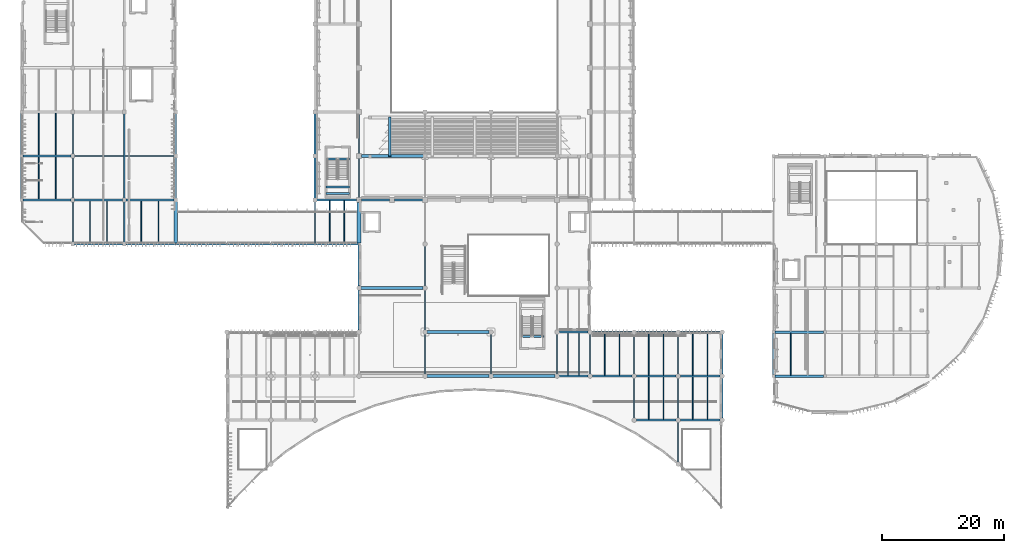
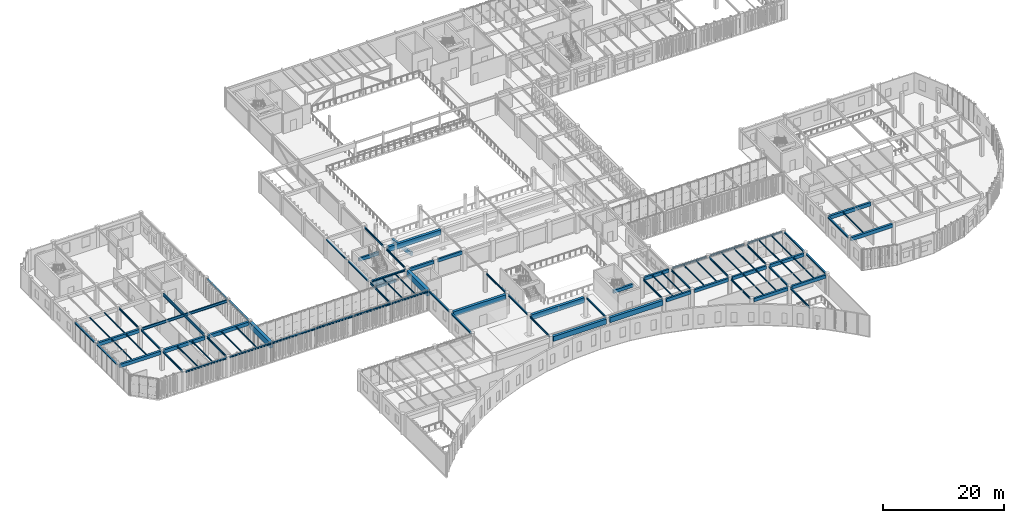
# One storey, part 12 of 122: 91 beams.
"""IFC4 building model written with IfcOpenShell, lengths in metres."""

from ifc_helpers import new_model, si_unit, direction, frame, origin, origin_2d, place, context, subcontext, project, spatial, rectangle, i_section, extrude, material, material_profile, profile_set, type_object, element, save


model = new_model("IFC4")

# Units and contexts
model_context = context("Model", 3, precision=1e-05, world=origin(), true_north=direction((0.0, 1.0)))
body_context = subcontext(model_context, "Body", "Model", "MODEL_VIEW")
ifc_project = project(units=[si_unit("LENGTHUNIT", "METRE"), si_unit("AREAUNIT", "SQUARE_METRE"), si_unit("VOLUMEUNIT", "CUBIC_METRE"), si_unit("PLANEANGLEUNIT", "RADIAN"), si_unit("MASSUNIT", "GRAM", prefix="KILO")], contexts=[model_context])

# Site, building, storey
site_placement = place(None, origin())
site = spatial("IfcSite", under=ifc_project, at=site_placement, CompositionType="ELEMENT")
building_placement = place(site_placement, origin())
building = spatial("IfcBuilding", under=site, at=building_placement, Name="Tazoul Stagehouse", CompositionType="ELEMENT")
storey_placement = place(building_placement, frame((0.0, 0.0, 4.800048828125)))
storey = spatial("IfcBuildingStorey", under=building, at=storey_placement, Name="L01", CompositionType="ELEMENT", Elevation=4.800048828125)

# Beams
ifc_material_1 = material(Name="Concrete C40/50", Category="concrete")
ifc_material_profile_1 = material_profile(ifc_material_1, rectangle(XDim=0.39990234375, YDim=0.75, at=origin_2d()), Name="RC 400x750")
ifc_profile_set_1 = profile_set([ifc_material_profile_1], Name="Concrete C40/50")
beam_type_1 = type_object("IfcBeamType", Name="RC Auditorium Raker Girder 400x750", PredefinedType="BEAM", material=ifc_profile_set_1)
beam_1_placement = place(storey_placement, frame((62.60009765625, 65.300048828125, -0.260009765625), z_axis=(0.0, -0.982874309104, 0.18427721645), x_axis=(1.0, 0.0, 0.0)))
element("IfcBeam", 1, at=beam_1_placement, inside=storey, type_object=beam_type_1, Name="RAKER V1-DRESS RB-01-01", PredefinedType="BEAM", context=body_context, shape_type="SweptSolid", body=[
    extrude(rectangle(XDim=0.39990234375, YDim=0.75, at=origin_2d()), origin(), (0.0, 0.0, 1.0), 6.51171875),
])
ifc_material_profile_2 = material_profile(ifc_material_1, rectangle(XDim=0.60009765625, YDim=1.199951171875, at=origin_2d()), Name="RC 600x1200")
ifc_profile_set_2 = profile_set([ifc_material_profile_2], Name="Concrete C40/50")
beam_type_2 = type_object("IfcBeamType", Name="RC Long-Span Girder 600x1200 (Exterior)", PredefinedType="BEAM", material=ifc_profile_set_2)
beam_2_placement = place(storey_placement, frame((27.60009765625, 44.737060546875, 3.337890625), z_axis=(0.0, 1.0, 0.0), x_axis=(-1.0, 0.0, 0.0)))
element("IfcBeam", 2, at=beam_2_placement, inside=storey, type_object=beam_type_2, Name="L01 Beam BM-05E 4/G-H", PredefinedType="BEAM", context=body_context, shape_type="SweptSolid", body=[
    extrude(rectangle(XDim=0.60009765625, YDim=1.199951171875, at=origin_2d()), origin(), (0.0, 0.0, 1.0), 6.787841796875),
])
beam_3_placement = place(storey_placement, frame((57.60009765625, 44.737060546875, 3.337890625), z_axis=(0.0, 1.0, 0.0), x_axis=(-1.0, 0.0, 0.0)))
element("IfcBeam", 3, at=beam_3_placement, inside=storey, type_object=beam_type_2, Name="L01 Beam BM-05E 8/G-H", PredefinedType="BEAM", context=body_context, shape_type="SweptSolid", body=[
    extrude(rectangle(XDim=0.60009765625, YDim=1.199951171875, at=origin_2d()), origin(), (0.0, 0.0, 1.0), 6.68798828125),
])
ifc_material_profile_3 = material_profile(ifc_material_1, rectangle(XDim=0.35009765625, YDim=0.64990234375, at=origin_2d()), Name="RC 350x650")
ifc_profile_set_3 = profile_set([ifc_material_profile_3], Name="Concrete C40/50")
beam_type_3 = type_object("IfcBeamType", Name="RC Primary Girder 350x650", PredefinedType="BEAM", material=ifc_profile_set_3)
for number, where, z_axis, x_axis, name in (
    (4, (102.949951171875, 15.800048828125, 3.613037109375), (1.0, 0.0, 0.0), (0.0, 1.0, 0.0), "L01 Beam BM-01 C/16-17"),
    (5, (110.14990234375, 15.800048828125, 3.613037109375), (1.0, 0.0, 0.0), (0.0, 1.0, 0.0), "L01 Beam BM-01 C/17-18"),
):
    element("IfcBeam", number, at=place(storey_placement, frame(where, z_axis=z_axis, x_axis=x_axis)), inside=storey, type_object=beam_type_3, Name=name, PredefinedType="BEAM", context=body_context, shape_type="SweptSolid", body=[
        extrude(rectangle(XDim=0.35009765625, YDim=0.64990234375, at=origin_2d()), origin(), (0.0, 0.0, 1.0), 6.5),
    ])
beam_4_placement = place(storey_placement, frame((90.35009765625, 23.0, 3.613037109375), z_axis=(1.0, 0.0, 0.0), x_axis=(0.0, 1.0, 0.0)))
element("IfcBeam", 6, at=beam_4_placement, inside=storey, type_object=beam_type_3, Name="L01 Beam BM-01 D/14-15", PredefinedType="BEAM", context=body_context, shape_type="SweptSolid", body=[
    extrude(rectangle(XDim=0.35009765625, YDim=0.64990234375, at=origin_2d()), origin(), (0.0, 0.0, 1.0), 4.699951171875),
])
for number, where, z_axis, x_axis, name in (
    (7, (95.75, 23.0, 3.613037109375), (1.0, 0.0, 0.0), (0.0, 1.0, 0.0), "L01 Beam BM-01 D/15-16"),
    (8, (102.949951171875, 23.0, 3.613037109375), (1.0, 0.0, 0.0), (0.0, 1.0, 0.0), "L01 Beam BM-01 D/16-17"),
    (9, (110.14990234375, 23.0, 3.613037109375), (1.0, 0.0, 0.0), (0.0, 1.0, 0.0), "L01 Beam BM-01 D/17-18"),
):
    element("IfcBeam", number, at=place(storey_placement, frame(where, z_axis=z_axis, x_axis=x_axis)), inside=storey, type_object=beam_type_3, Name=name, PredefinedType="BEAM", context=body_context, shape_type="SweptSolid", body=[
        extrude(rectangle(XDim=0.35009765625, YDim=0.64990234375, at=origin_2d()), origin(), (0.0, 0.0, 1.0), 6.5),
    ])
beam_5_placement = place(storey_placement, frame((90.35009765625, 30.199951171875, 3.613037109375), z_axis=(1.0, 0.0, 0.0), x_axis=(0.0, 1.0, 0.0)))
element("IfcBeam", 10, at=beam_5_placement, inside=storey, type_object=beam_type_3, Name="L01 Beam BM-01 E/14-15", PredefinedType="BEAM", context=body_context, shape_type="SweptSolid", body=[
    extrude(rectangle(XDim=0.35009765625, YDim=0.64990234375, at=origin_2d()), origin(), (0.0, 0.0, 1.0), 4.699951171875),
])
for number, where, z_axis, x_axis, name in (
    (11, (57.97509765625, 51.800048828125, 3.613037109375), (1.0, 0.0, 0.0), (0.0, 1.0, 0.0), "L01 Beam BM-01 H/8-9"),
    (12, (63.375, 51.800048828125, 3.613037109375), (1.0, 0.0, 0.0), (0.0, 1.0, 0.0), "L01 Beam BM-01 H/9-10"),
):
    element("IfcBeam", number, at=place(storey_placement, frame(where, z_axis=z_axis, x_axis=x_axis)), inside=storey, type_object=beam_type_3, Name=name, PredefinedType="BEAM", context=body_context, shape_type="SweptSolid", body=[
        extrude(rectangle(XDim=0.35009765625, YDim=0.64990234375, at=origin_2d()), origin(), (0.0, 0.0, 1.0), 4.64990234375),
    ])
for number, where, z_axis, x_axis, name in (
    (13, (52.219970703125, 52.840087890625, 1.579833984375), (1.0, 0.0, 0.0), (0.0, 1.0, 0.0), "L01 Stair Half-Landing Trimmer BM-01 (ST-05-1)"),
    (14, (52.219970703125, 53.93994140625, 1.579833984375), (1.0, 0.0, 0.0), (0.0, 1.0, 0.0), "L01 Stair Half-Landing Trimmer BM-01 (ST-05-2)"),
    (15, (52.219970703125, 58.489990234375, 3.614990234375), (1.0, 0.0, 0.0), (0.0, 1.0, 0.0), "L01 Stair Landing Trimmer BM-01 (ST-05-FL)"),
    (16, (84.02001953125, 29.47998046875, 3.614990234375), (1.0, 0.0, 0.0), (0.0, 1.0, 0.0), "L01 Stair Landing Trimmer BM-01 (ST-08-FL)"),
):
    element("IfcBeam", number, at=place(storey_placement, frame(where, z_axis=z_axis, x_axis=x_axis)), inside=storey, type_object=beam_type_3, Name=name, PredefinedType="BEAM", context=body_context, shape_type="SweptSolid", body=[
        extrude(rectangle(XDim=0.35009765625, YDim=0.64990234375, at=origin_2d()), origin(), (0.0, 0.0, 1.0), 3.81005859375),
    ])
ifc_material_profile_4 = material_profile(ifc_material_1, rectangle(XDim=0.39990234375, YDim=0.699951171875, at=origin_2d()), Name="RC 400x700")
ifc_profile_set_4 = profile_set([ifc_material_profile_4], Name="Concrete C40/50")
beam_type_4 = type_object("IfcBeamType", Name="RC Primary Girder 400x700", PredefinedType="BEAM", material=ifc_profile_set_4)
for number, where, z_axis, x_axis, name in (
    (17, (125.625, 23.0, 3.60791015625), (1.0, 0.0, 0.0), (0.0, 1.0, 0.0), "L01 Beam BM-02 D/19-20"),
    (18, (125.625, 30.199951171875, 3.587890625), (1.0, 0.0, 0.0), (0.0, 1.0, 0.0), "L01 Beam BM-02 E/19-20"),
):
    element("IfcBeam", number, at=place(storey_placement, frame(where, z_axis=z_axis, x_axis=x_axis)), inside=storey, type_object=beam_type_4, Name=name, PredefinedType="BEAM", context=body_context, shape_type="SweptSolid", body=[
        extrude(rectangle(XDim=0.39990234375, YDim=0.699951171875, at=origin_2d()), origin(), (0.0, 0.0, 1.0), 7.949951171875),
    ])
beam_6_placement = place(storey_placement, frame((2.625, 51.800048828125, 3.587890625), z_axis=(1.0, 0.0, 0.0), x_axis=(0.0, 1.0, 0.0)))
element("IfcBeam", 19, at=beam_6_placement, inside=storey, type_object=beam_type_4, Name="L01 Beam BM-02 H/1-2", PredefinedType="BEAM", context=body_context, shape_type="SweptSolid", body=[
    extrude(rectangle(XDim=0.39990234375, YDim=0.699951171875, at=origin_2d()), origin(), (0.0, 0.0, 1.0), 7.89990234375),
])
beam_7_placement = place(storey_placement, frame((11.074951171875, 51.800048828125, 3.587890625), z_axis=(1.0, 0.0, 0.0), x_axis=(0.0, 1.0, 0.0)))
element("IfcBeam", 20, at=beam_7_placement, inside=storey, type_object=beam_type_4, Name="L01 Beam BM-02 H/2-3", PredefinedType="BEAM", context=body_context, shape_type="SweptSolid", body=[
    extrude(rectangle(XDim=0.39990234375, YDim=0.699951171875, at=origin_2d()), origin(), (0.0, 0.0, 1.0), 7.85009765625),
])
beam_8_placement = place(storey_placement, frame((19.47509765625, 51.800048828125, 3.587890625), z_axis=(1.0, 0.0, 0.0), x_axis=(0.0, 1.0, 0.0)))
element("IfcBeam", 21, at=beam_8_placement, inside=storey, type_object=beam_type_4, Name="L01 Beam BM-02 H/3-4", PredefinedType="BEAM", context=body_context, shape_type="SweptSolid", body=[
    extrude(rectangle(XDim=0.39990234375, YDim=0.699951171875, at=origin_2d()), origin(), (0.0, 0.0, 1.0), 7.849853515625),
])
beam_9_placement = place(storey_placement, frame((2.625, 59.0, 3.587890625), z_axis=(1.0, 0.0, 0.0), x_axis=(0.0, 1.0, 0.0)))
element("IfcBeam", 22, at=beam_9_placement, inside=storey, type_object=beam_type_4, Name="L01 Beam BM-02 J/1-2", PredefinedType="BEAM", context=body_context, shape_type="SweptSolid", body=[
    extrude(rectangle(XDim=0.39990234375, YDim=0.699951171875, at=origin_2d()), origin(), (0.0, 0.0, 1.0), 7.89990234375),
])
ifc_material_profile_5 = material_profile(ifc_material_1, rectangle(XDim=0.5, YDim=1.0, at=origin_2d()), Name="RC 500x1000")
ifc_profile_set_5 = profile_set([ifc_material_profile_5], Name="Concrete C40/50")
beam_type_5 = type_object("IfcBeamType", Name="RC Transfer Girder 500x1000", PredefinedType="BEAM", material=ifc_profile_set_5)
beam_10_placement = place(storey_placement, frame((68.75, 23.0, 3.43798828125), z_axis=(1.0, 0.0, 0.0), x_axis=(0.0, 1.0, 0.0)))
element("IfcBeam", 23, at=beam_10_placement, inside=storey, type_object=beam_type_5, Name="L01 Beam BM-04 D/10-12", PredefinedType="BEAM", context=body_context, shape_type="SweptSolid", body=[
    extrude(rectangle(XDim=0.5, YDim=1.0, at=origin_2d()), origin(), (0.0, 0.0, 1.0), 10.10009765625),
])
beam_11_placement = place(storey_placement, frame((79.550048828125, 23.0, 3.43798828125), z_axis=(1.0, 0.0, 0.0), x_axis=(0.0, 1.0, 0.0)))
element("IfcBeam", 24, at=beam_11_placement, inside=storey, type_object=beam_type_5, Name="L01 Beam BM-04 D/12-14", PredefinedType="BEAM", context=body_context, shape_type="SweptSolid", body=[
    extrude(rectangle(XDim=0.5, YDim=1.0, at=origin_2d()), origin(), (0.0, 0.0, 1.0), 10.099853515625),
])
for number, where, z_axis, x_axis, name in (
    (25, (68.75, 30.199951171875, 3.43798828125), (1.0, 0.0, 0.0), (0.0, 1.0, 0.0), "L01 Beam BM-04 E/10-12"),
    (26, (57.949951171875, 37.39990234375, 3.43798828125), (1.0, 0.0, 0.0), (0.0, 1.0, 0.0), "L01 Beam BM-04 F/8-10"),
):
    element("IfcBeam", number, at=place(storey_placement, frame(where, z_axis=z_axis, x_axis=x_axis)), inside=storey, type_object=beam_type_5, Name=name, PredefinedType="BEAM", context=body_context, shape_type="SweptSolid", body=[
        extrude(rectangle(XDim=0.5, YDim=1.0, at=origin_2d()), origin(), (0.0, 0.0, 1.0), 10.10009765625),
    ])
beam_12_placement = place(storey_placement, frame((57.97509765625, 59.0, 3.43798828125), z_axis=(1.0, 0.0, 0.0), x_axis=(0.0, 1.0, 0.0)))
element("IfcBeam", 27, at=beam_12_placement, inside=storey, type_object=beam_type_5, Name="L01 Beam BM-04 J/8-10", PredefinedType="BEAM", context=body_context, shape_type="SweptSolid", body=[
    extrude(rectangle(XDim=0.5, YDim=1.0, at=origin_2d()), origin(), (0.0, 0.0, 1.0), 10.14990234375),
])
ifc_material_2 = material(Name="Steel S355", Category="steel")
ifc_material_profile_6 = material_profile(ifc_material_2, i_section(OverallWidth=0.300048828125, OverallDepth=0.2900390625, WebThickness=0.008544921875, FlangeThickness=0.013916015625, FilletRadius=0.027099609375, at=origin_2d()), Name="HEA 300")
ifc_profile_set_6 = profile_set([ifc_material_profile_6], Name="Steel S355")
beam_type_6 = type_object("IfcBeamType", Name="Steel Crescent Spandrel HEA 300 (Exterior)", PredefinedType="SPANDREL", material=ifc_profile_set_6)
for number, where, z_axis, x_axis, name in (
    (28, (95.75, 30.199951171875, 3.79296875), (1.0, 0.0, 0.0), (0.0, 1.0, 0.0), "L01 Beam SP-03E E/15-16"),
    (29, (102.949951171875, 30.199951171875, 3.79296875), (1.0, 0.0, 0.0), (0.0, 1.0, 0.0), "L01 Beam SP-03E E/16-17"),
    (30, (110.14990234375, 30.199951171875, 3.79296875), (1.0, 0.0, 0.0), (0.0, 1.0, 0.0), "L01 Beam SP-03E E/17-18"),
):
    element("IfcBeam", number, at=place(storey_placement, frame(where, z_axis=z_axis, x_axis=x_axis)), inside=storey, type_object=beam_type_6, Name=name, PredefinedType="SPANDREL", context=body_context, shape_type="SweptSolid", body=[
        extrude(i_section(OverallWidth=0.300048828125, OverallDepth=0.2900390625, WebThickness=0.008544921875, FlangeThickness=0.013916015625, FilletRadius=0.027099609375, at=origin_2d()), origin(), (0.0, 0.0, 1.0), 6.5),
    ])
beam_13_placement = place(storey_placement, frame((11.074951171875, 44.60009765625, 3.79296875), z_axis=(1.0, 0.0, 0.0), x_axis=(0.0, 1.0, 0.0)))
element("IfcBeam", 31, at=beam_13_placement, inside=storey, type_object=beam_type_6, Name="L01 Beam SP-03E G/2-3", PredefinedType="SPANDREL", context=body_context, shape_type="SweptSolid", body=[
    extrude(i_section(OverallWidth=0.300048828125, OverallDepth=0.2900390625, WebThickness=0.008544921875, FlangeThickness=0.013916015625, FilletRadius=0.027099609375, at=origin_2d()), origin(), (0.0, 0.0, 1.0), 7.85009765625),
])
beam_14_placement = place(storey_placement, frame((19.47509765625, 44.60009765625, 3.79296875), z_axis=(1.0, 0.0, 0.0), x_axis=(0.0, 1.0, 0.0)))
element("IfcBeam", 32, at=beam_14_placement, inside=storey, type_object=beam_type_6, Name="L01 Beam SP-03E G/3-4", PredefinedType="SPANDREL", context=body_context, shape_type="SweptSolid", body=[
    extrude(i_section(OverallWidth=0.300048828125, OverallDepth=0.2900390625, WebThickness=0.008544921875, FlangeThickness=0.013916015625, FilletRadius=0.027099609375, at=origin_2d()), origin(), (0.0, 0.0, 1.0), 8.114990234375),
])
beam_15_placement = place(storey_placement, frame((27.610107421875, 44.60009765625, 3.79296875), z_axis=(1.0, 0.0, 0.0), x_axis=(0.0, 1.0, 0.0)))
element("IfcBeam", 33, at=beam_15_placement, inside=storey, type_object=beam_type_6, Name="L01 Beam SP-03E G/4-5", PredefinedType="SPANDREL", context=body_context, shape_type="SweptSolid", body=[
    extrude(i_section(OverallWidth=0.300048828125, OverallDepth=0.2900390625, WebThickness=0.008544921875, FlangeThickness=0.013916015625, FilletRadius=0.027099609375, at=origin_2d()), origin(), (0.0, 0.0, 1.0), 8.3798828125),
])
for number, where, z_axis, x_axis, name in (
    (34, (36.010009765625, 44.60009765625, 3.81298828125), (1.0, 0.0, 0.0), (0.0, 1.0, 0.0), "L01 Beam SP-03E G/5-6"),
    (35, (43.2099609375, 44.60009765625, 3.81298828125), (1.0, 0.0, 0.0), (0.0, 1.0, 0.0), "L01 Beam SP-03E G/6-7"),
):
    element("IfcBeam", number, at=place(storey_placement, frame(where, z_axis=z_axis, x_axis=x_axis)), inside=storey, type_object=beam_type_6, Name=name, PredefinedType="SPANDREL", context=body_context, shape_type="SweptSolid", body=[
        extrude(i_section(OverallWidth=0.300048828125, OverallDepth=0.2900390625, WebThickness=0.008544921875, FlangeThickness=0.013916015625, FilletRadius=0.027099609375, at=origin_2d()), origin(), (0.0, 0.0, 1.0), 7.179931640625),
    ])
beam_16_placement = place(storey_placement, frame((50.409912109375, 44.60009765625, 3.79296875), z_axis=(1.0, 0.0, 0.0), x_axis=(0.0, 1.0, 0.0)))
element("IfcBeam", 36, at=beam_16_placement, inside=storey, type_object=beam_type_6, Name="L01 Beam SP-03E G/7-8", PredefinedType="SPANDREL", context=body_context, shape_type="SweptSolid", body=[
    extrude(i_section(OverallWidth=0.300048828125, OverallDepth=0.2900390625, WebThickness=0.008544921875, FlangeThickness=0.013916015625, FilletRadius=0.027099609375, at=origin_2d()), origin(), (0.0, 0.0, 1.0), 7.18017578125),
])
beam_17_placement = place(storey_placement, frame((50.675048828125, 51.800048828125, 3.79296875), z_axis=(1.0, 0.0, 0.0), x_axis=(0.0, 1.0, 0.0)))
element("IfcBeam", 37, at=beam_17_placement, inside=storey, type_object=beam_type_6, Name="L01 Beam SP-03E H/7-8", PredefinedType="SPANDREL", context=body_context, shape_type="SweptSolid", body=[
    extrude(i_section(OverallWidth=0.300048828125, OverallDepth=0.2900390625, WebThickness=0.008544921875, FlangeThickness=0.013916015625, FilletRadius=0.027099609375, at=origin_2d()), origin(), (0.0, 0.0, 1.0), 6.550048828125),
])
ifc_material_profile_7 = material_profile(ifc_material_2, i_section(OverallWidth=0.280029296875, OverallDepth=0.27001953125, WebThickness=0.008056640625, FlangeThickness=0.012939453125, FilletRadius=0.02392578125, at=origin_2d()), Name="HEA 280")
ifc_profile_set_7 = profile_set([ifc_material_profile_7], Name="Steel S355")
beam_type_7 = type_object("IfcBeamType", Name="Steel Facade Spandrel HEA 280 (Exterior)", PredefinedType="SPANDREL", material=ifc_profile_set_7)
for number, where, z_axis, x_axis, name in (
    (38, (2.39990234375, 52.02490234375, 3.802978515625), (0.0, 1.0, 0.0), (-1.0, 0.0, 0.0), "L01 Beam SP-02E 1/H-J"),
    (39, (2.39990234375, 59.22509765625, 3.802978515625), (0.0, 1.0, 0.0), (-1.0, 0.0, 0.0), "L01 Beam SP-02E 1/J-K"),
):
    element("IfcBeam", number, at=place(storey_placement, frame(where, z_axis=z_axis, x_axis=x_axis)), inside=storey, type_object=beam_type_7, Name=name, PredefinedType="SPANDREL", context=body_context, shape_type="SweptSolid", body=[
        extrude(i_section(OverallWidth=0.280029296875, OverallDepth=0.27001953125, WebThickness=0.008056640625, FlangeThickness=0.012939453125, FilletRadius=0.02392578125, at=origin_2d()), origin(), (0.0, 0.0, 1.0), 6.75),
    ])
for number, where, z_axis, x_axis, name in (
    (40, (27.60009765625, 52.074951171875, 3.802978515625), (0.0, 1.0, 0.0), (-1.0, 0.0, 0.0), "L01 Beam SP-02E 4/H-J"),
    (41, (27.60009765625, 59.27490234375, 3.802978515625), (0.0, 1.0, 0.0), (-1.0, 0.0, 0.0), "L01 Beam SP-02E 4/J-K"),
    (42, (50.39990234375, 52.074951171875, 3.802978515625), (0.0, 1.0, 0.0), (-1.0, 0.0, 0.0), "L01 Beam SP-02E 7/H-J"),
    (43, (50.39990234375, 59.27490234375, 3.802978515625), (0.0, 1.0, 0.0), (-1.0, 0.0, 0.0), "L01 Beam SP-02E 7/J-K"),
):
    element("IfcBeam", number, at=place(storey_placement, frame(where, z_axis=z_axis, x_axis=x_axis)), inside=storey, type_object=beam_type_7, Name=name, PredefinedType="SPANDREL", context=body_context, shape_type="SweptSolid", body=[
        extrude(i_section(OverallWidth=0.280029296875, OverallDepth=0.27001953125, WebThickness=0.008056640625, FlangeThickness=0.012939453125, FilletRadius=0.02392578125, at=origin_2d()), origin(), (0.0, 0.0, 1.0), 6.650146484375),
    ])
beam_18_placement = place(storey_placement, frame((57.60009765625, 30.550048828125, 3.802978515625), z_axis=(0.0, 1.0, 0.0), x_axis=(-1.0, 0.0, 0.0)))
element("IfcBeam", 44, at=beam_18_placement, inside=storey, type_object=beam_type_7, Name="L01 Beam SP-02E 8/E-F", PredefinedType="SPANDREL", context=body_context, shape_type="SweptSolid", body=[
    extrude(i_section(OverallWidth=0.280029296875, OverallDepth=0.27001953125, WebThickness=0.008056640625, FlangeThickness=0.012939453125, FilletRadius=0.02392578125, at=origin_2d()), origin(), (0.0, 0.0, 1.0), 6.5),
])
beam_19_placement = place(storey_placement, frame((57.60009765625, 37.75, 3.802978515625), z_axis=(0.0, 1.0, 0.0), x_axis=(-1.0, 0.0, 0.0)))
element("IfcBeam", 45, at=beam_19_placement, inside=storey, type_object=beam_type_7, Name="L01 Beam SP-02E 8/F-G", PredefinedType="SPANDREL", context=body_context, shape_type="SweptSolid", body=[
    extrude(i_section(OverallWidth=0.280029296875, OverallDepth=0.27001953125, WebThickness=0.008056640625, FlangeThickness=0.012939453125, FilletRadius=0.02392578125, at=origin_2d()), origin(), (0.0, 0.0, 1.0), 6.713134765625),
])
for number, where, z_axis, x_axis, name in (
    (46, (117.0, 16.14990234375, 3.802978515625), (0.0, 1.0, 0.0), (-1.0, 0.0, 0.0), "L01 Beam SP-02E 18/C-D"),
    (47, (117.0, 23.35009765625, 3.802978515625), (0.0, 1.0, 0.0), (-1.0, 0.0, 0.0), "L01 Beam SP-02E 18/D-E"),
):
    element("IfcBeam", number, at=place(storey_placement, frame(where, z_axis=z_axis, x_axis=x_axis)), inside=storey, type_object=beam_type_7, Name=name, PredefinedType="SPANDREL", context=body_context, shape_type="SweptSolid", body=[
        extrude(i_section(OverallWidth=0.280029296875, OverallDepth=0.27001953125, WebThickness=0.008056640625, FlangeThickness=0.012939453125, FilletRadius=0.02392578125, at=origin_2d()), origin(), (0.0, 0.0, 1.0), 6.5),
    ])
beam_20_placement = place(storey_placement, frame((125.39990234375, 23.22509765625, 3.802978515625), z_axis=(0.0, 1.0, 0.0), x_axis=(-1.0, 0.0, 0.0)))
element("IfcBeam", 48, at=beam_20_placement, inside=storey, type_object=beam_type_7, Name="L01 Beam SP-02E 19/D-E", PredefinedType="SPANDREL", context=body_context, shape_type="SweptSolid", body=[
    extrude(i_section(OverallWidth=0.280029296875, OverallDepth=0.27001953125, WebThickness=0.008056640625, FlangeThickness=0.012939453125, FilletRadius=0.02392578125, at=origin_2d()), origin(), (0.0, 0.0, 1.0), 6.75),
])
ifc_material_profile_8 = material_profile(ifc_material_2, i_section(OverallWidth=0.1201171875, OverallDepth=0.239990234375, WebThickness=0.006103515625, FlangeThickness=0.009765625, FilletRadius=0.014892578125, at=origin_2d()), Name="IPE 240")
ifc_profile_set_8 = profile_set([ifc_material_profile_8], Name="Steel S355")
beam_type_8 = type_object("IfcBeamType", Name="Steel Floor Joist IPE 240", PredefinedType="JOIST", material=ifc_profile_set_8)
for number, where, z_axis, x_axis, name in (
    (49, (105.0, 15.949951171875, 3.81787109375), (0.0, 1.0, 0.0), (-1.0, 0.0, 0.0), "L01 Joist JS-01 16/C-1"),
    (50, (107.39990234375, 15.949951171875, 3.81787109375), (0.0, 1.0, 0.0), (-1.0, 0.0, 0.0), "L01 Joist JS-01 16/C-2"),
    (51, (112.199951171875, 15.949951171875, 3.81787109375), (0.0, 1.0, 0.0), (-1.0, 0.0, 0.0), "L01 Joist JS-01 17/C-1"),
    (52, (114.60009765625, 15.949951171875, 3.81787109375), (0.0, 1.0, 0.0), (-1.0, 0.0, 0.0), "L01 Joist JS-01 17/C-2"),
    (53, (91.800048828125, 23.14990234375, 3.81787109375), (0.0, 1.0, 0.0), (-1.0, 0.0, 0.0), "L01 Joist JS-01 14/D-1"),
    (54, (93.60009765625, 23.14990234375, 3.81787109375), (0.0, 1.0, 0.0), (-1.0, 0.0, 0.0), "L01 Joist JS-01 14/D-2"),
):
    element("IfcBeam", number, at=place(storey_placement, frame(where, z_axis=z_axis, x_axis=x_axis)), inside=storey, type_object=beam_type_8, Name=name, PredefinedType="JOIST", context=body_context, shape_type="SweptSolid", body=[
        extrude(i_section(OverallWidth=0.1201171875, OverallDepth=0.239990234375, WebThickness=0.006103515625, FlangeThickness=0.009765625, FilletRadius=0.014892578125, at=origin_2d()), origin(), (0.0, 0.0, 1.0), 6.900146484375),
    ])
for number, where, z_axis, x_axis, name in (
    (55, (97.800048828125, 23.14990234375, 3.81787109375), (0.0, 1.0, 0.0), (-1.0, 0.0, 0.0), "L01 Joist JS-01 15/D-1"),
    (56, (100.199951171875, 23.14990234375, 3.81787109375), (0.0, 1.0, 0.0), (-1.0, 0.0, 0.0), "L01 Joist JS-01 15/D-2"),
    (57, (105.0, 23.14990234375, 3.81787109375), (0.0, 1.0, 0.0), (-1.0, 0.0, 0.0), "L01 Joist JS-01 16/D-1"),
    (58, (107.39990234375, 23.14990234375, 3.81787109375), (0.0, 1.0, 0.0), (-1.0, 0.0, 0.0), "L01 Joist JS-01 16/D-2"),
    (59, (112.199951171875, 23.14990234375, 3.81787109375), (0.0, 1.0, 0.0), (-1.0, 0.0, 0.0), "L01 Joist JS-01 17/D-1"),
    (60, (114.60009765625, 23.14990234375, 3.81787109375), (0.0, 1.0, 0.0), (-1.0, 0.0, 0.0), "L01 Joist JS-01 17/D-2"),
):
    element("IfcBeam", number, at=place(storey_placement, frame(where, z_axis=z_axis, x_axis=x_axis)), inside=storey, type_object=beam_type_8, Name=name, PredefinedType="JOIST", context=body_context, shape_type="SweptSolid", body=[
        extrude(i_section(OverallWidth=0.1201171875, OverallDepth=0.239990234375, WebThickness=0.006103515625, FlangeThickness=0.009765625, FilletRadius=0.014892578125, at=origin_2d()), origin(), (0.0, 0.0, 1.0), 6.925048828125),
    ])
beam_21_placement = place(storey_placement, frame((128.199951171875, 23.175048828125, 3.837890625), z_axis=(0.0, 1.0, 0.0), x_axis=(-1.0, 0.0, 0.0)))
element("IfcBeam", 61, at=beam_21_placement, inside=storey, type_object=beam_type_8, Name="L01 Joist JS-01 19/D-1", PredefinedType="JOIST", context=body_context, shape_type="SweptSolid", body=[
    extrude(i_section(OverallWidth=0.1201171875, OverallDepth=0.239990234375, WebThickness=0.006103515625, FlangeThickness=0.009765625, FilletRadius=0.014892578125, at=origin_2d()), origin(), (0.0, 0.0, 1.0), 6.849853515625),
])
for number, where, z_axis, x_axis, name in (
    (62, (13.60009765625, 44.72509765625, 3.81787109375), (0.0, 1.0, 0.0), (-1.0, 0.0, 0.0), "L01 Joist JS-01 2/G-1"),
    (63, (16.39990234375, 44.72509765625, 3.81787109375), (0.0, 1.0, 0.0), (-1.0, 0.0, 0.0), "L01 Joist JS-01 2/G-2"),
    (64, (22.0, 44.72509765625, 3.81787109375), (0.0, 1.0, 0.0), (-1.0, 0.0, 0.0), "L01 Joist JS-01 3/G-1"),
    (65, (24.800048828125, 44.72509765625, 3.81787109375), (0.0, 1.0, 0.0), (-1.0, 0.0, 0.0), "L01 Joist JS-01 3/G-2"),
):
    element("IfcBeam", number, at=place(storey_placement, frame(where, z_axis=z_axis, x_axis=x_axis)), inside=storey, type_object=beam_type_8, Name=name, PredefinedType="JOIST", context=body_context, shape_type="SweptSolid", body=[
        extrude(i_section(OverallWidth=0.1201171875, OverallDepth=0.239990234375, WebThickness=0.006103515625, FlangeThickness=0.009765625, FilletRadius=0.014892578125, at=origin_2d()), origin(), (0.0, 0.0, 1.0), 6.89990234375),
    ])
for number, where, z_axis, x_axis, name in (
    (66, (52.800048828125, 44.72509765625, 3.81787109375), (0.0, 1.0, 0.0), (-1.0, 0.0, 0.0), "L01 Joist JS-01 7/G-1"),
    (67, (55.199951171875, 44.72509765625, 3.81787109375), (0.0, 1.0, 0.0), (-1.0, 0.0, 0.0), "L01 Joist JS-01 7/G-2"),
):
    element("IfcBeam", number, at=place(storey_placement, frame(where, z_axis=z_axis, x_axis=x_axis)), inside=storey, type_object=beam_type_8, Name=name, PredefinedType="JOIST", context=body_context, shape_type="SweptSolid", body=[
        extrude(i_section(OverallWidth=0.1201171875, OverallDepth=0.239990234375, WebThickness=0.006103515625, FlangeThickness=0.009765625, FilletRadius=0.014892578125, at=origin_2d()), origin(), (0.0, 0.0, 1.0), 6.949951171875),
    ])
for number, where, z_axis, x_axis, name in (
    (68, (5.199951171875, 51.97509765625, 3.81787109375), (0.0, 1.0, 0.0), (-1.0, 0.0, 0.0), "L01 Joist JS-01 1/H-1"),
    (69, (8.0, 51.97509765625, 3.81787109375), (0.0, 1.0, 0.0), (-1.0, 0.0, 0.0), "L01 Joist JS-01 1/H-2"),
    (70, (5.199951171875, 59.175048828125, 3.81787109375), (0.0, 1.0, 0.0), (-1.0, 0.0, 0.0), "L01 Joist JS-01 1/J-1"),
    (71, (8.0, 59.175048828125, 3.81787109375), (0.0, 1.0, 0.0), (-1.0, 0.0, 0.0), "L01 Joist JS-01 1/J-2"),
):
    element("IfcBeam", number, at=place(storey_placement, frame(where, z_axis=z_axis, x_axis=x_axis)), inside=storey, type_object=beam_type_8, Name=name, PredefinedType="JOIST", context=body_context, shape_type="SweptSolid", body=[
        extrude(i_section(OverallWidth=0.1201171875, OverallDepth=0.239990234375, WebThickness=0.006103515625, FlangeThickness=0.009765625, FilletRadius=0.014892578125, at=origin_2d()), origin(), (0.0, 0.0, 1.0), 6.849853515625),
    ])
ifc_material_profile_9 = material_profile(ifc_material_2, i_section(OverallWidth=0.2099609375, OverallDepth=0.550048828125, WebThickness=0.010986328125, FlangeThickness=0.01708984375, FilletRadius=0.02392578125, at=origin_2d()), Name="IPE 550")
ifc_profile_set_9 = profile_set([ifc_material_profile_9], Name="Steel S355")
beam_type_9 = type_object("IfcBeamType", Name="Steel Hall Girder IPE 550", PredefinedType="BEAM", material=ifc_profile_set_9)
beam_22_placement = place(storey_placement, frame((11.074951171875, 59.0, 3.662841796875), z_axis=(1.0, 0.0, 0.0), x_axis=(0.0, 1.0, 0.0)))
element("IfcBeam", 72, at=beam_22_placement, inside=storey, type_object=beam_type_9, Name="L01 Beam SB-05 J/2-4", PredefinedType="BEAM", context=body_context, shape_type="SweptSolid", body=[
    extrude(i_section(OverallWidth=0.2099609375, OverallDepth=0.550048828125, WebThickness=0.010986328125, FlangeThickness=0.01708984375, FilletRadius=0.02392578125, at=origin_2d()), origin(), (0.0, 0.0, 1.0), 16.25),
])
beam_23_placement = place(storey_placement, frame((19.199951171875, 52.074951171875, 3.662841796875), z_axis=(0.0, 1.0, 0.0), x_axis=(-1.0, 0.0, 0.0)))
element("IfcBeam", 73, at=beam_23_placement, inside=storey, type_object=beam_type_9, Name="L01 Beam SB-05 3/H-K", PredefinedType="BEAM", context=body_context, shape_type="SweptSolid", body=[
    extrude(i_section(OverallWidth=0.2099609375, OverallDepth=0.550048828125, WebThickness=0.010986328125, FlangeThickness=0.01708984375, FilletRadius=0.02392578125, at=origin_2d()), origin(), (0.0, 0.0, 1.0), 13.85009765625),
])
ifc_material_profile_10 = material_profile(ifc_material_2, i_section(OverallWidth=0.169921875, OverallDepth=0.360107421875, WebThickness=0.008056640625, FlangeThickness=0.0126953125, FilletRadius=0.01806640625, at=origin_2d()), Name="IPE 360")
ifc_profile_set_10 = profile_set([ifc_material_profile_10], Name="Steel S355")
beam_type_10 = type_object("IfcBeamType", Name="Steel Primary Girder IPE 360", PredefinedType="BEAM", material=ifc_profile_set_10)
beam_24_placement = place(storey_placement, frame((10.800048828125, 44.875, 3.758056640625), z_axis=(0.0, 1.0, 0.0), x_axis=(-1.0, 0.0, 0.0)))
element("IfcBeam", 74, at=beam_24_placement, inside=storey, type_object=beam_type_10, Name="L01 Beam SB-01 2/G-H", PredefinedType="BEAM", context=body_context, shape_type="SweptSolid", body=[
    extrude(i_section(OverallWidth=0.169921875, OverallDepth=0.360107421875, WebThickness=0.008056640625, FlangeThickness=0.0126953125, FilletRadius=0.01806640625, at=origin_2d()), origin(), (0.0, 0.0, 1.0), 6.64990234375),
])
for number, where, z_axis, x_axis, name in (
    (75, (10.800048828125, 52.074951171875, 3.758056640625), (0.0, 1.0, 0.0), (-1.0, 0.0, 0.0), "L01 Beam SB-01 2/H-J"),
    (76, (10.800048828125, 59.27490234375, 3.758056640625), (0.0, 1.0, 0.0), (-1.0, 0.0, 0.0), "L01 Beam SB-01 2/J-K"),
):
    element("IfcBeam", number, at=place(storey_placement, frame(where, z_axis=z_axis, x_axis=x_axis)), inside=storey, type_object=beam_type_10, Name=name, PredefinedType="BEAM", context=body_context, shape_type="SweptSolid", body=[
        extrude(i_section(OverallWidth=0.169921875, OverallDepth=0.360107421875, WebThickness=0.008056640625, FlangeThickness=0.0126953125, FilletRadius=0.01806640625, at=origin_2d()), origin(), (0.0, 0.0, 1.0), 6.650146484375),
    ])
beam_25_placement = place(storey_placement, frame((19.199951171875, 44.875, 3.758056640625), z_axis=(0.0, 1.0, 0.0), x_axis=(-1.0, 0.0, 0.0)))
element("IfcBeam", 77, at=beam_25_placement, inside=storey, type_object=beam_type_10, Name="L01 Beam SB-01 3/G-H", PredefinedType="BEAM", context=body_context, shape_type="SweptSolid", body=[
    extrude(i_section(OverallWidth=0.169921875, OverallDepth=0.360107421875, WebThickness=0.008056640625, FlangeThickness=0.0126953125, FilletRadius=0.01806640625, at=origin_2d()), origin(), (0.0, 0.0, 1.0), 6.64990234375),
])
beam_26_placement = place(storey_placement, frame((50.39990234375, 44.737060546875, 3.758056640625), z_axis=(0.0, 1.0, 0.0), x_axis=(-1.0, 0.0, 0.0)))
element("IfcBeam", 78, at=beam_26_placement, inside=storey, type_object=beam_type_10, Name="L01 Beam SB-01 7/G-H", PredefinedType="BEAM", context=body_context, shape_type="SweptSolid", body=[
    extrude(i_section(OverallWidth=0.169921875, OverallDepth=0.360107421875, WebThickness=0.008056640625, FlangeThickness=0.0126953125, FilletRadius=0.01806640625, at=origin_2d()), origin(), (0.0, 0.0, 1.0), 6.787841796875),
])
for number, where, z_axis, x_axis, name in (
    (79, (57.60009765625, 52.175048828125, 3.758056640625), (0.0, 1.0, 0.0), (-1.0, 0.0, 0.0), "L01 Beam SB-01 8/H-J"),
    (80, (57.60009765625, 59.375, 3.758056640625), (0.0, 1.0, 0.0), (-1.0, 0.0, 0.0), "L01 Beam SB-01 8/J-K"),
):
    element("IfcBeam", number, at=place(storey_placement, frame(where, z_axis=z_axis, x_axis=x_axis)), inside=storey, type_object=beam_type_10, Name=name, PredefinedType="BEAM", context=body_context, shape_type="SweptSolid", body=[
        extrude(i_section(OverallWidth=0.169921875, OverallDepth=0.360107421875, WebThickness=0.008056640625, FlangeThickness=0.0126953125, FilletRadius=0.01806640625, at=origin_2d()), origin(), (0.0, 0.0, 1.0), 6.449951171875),
    ])
for number, where, z_axis, x_axis, name in (
    (81, (68.39990234375, 23.35009765625, 3.758056640625), (0.0, 1.0, 0.0), (-1.0, 0.0, 0.0), "L01 Beam SB-01 10/D-E"),
    (82, (68.39990234375, 30.550048828125, 3.758056640625), (0.0, 1.0, 0.0), (-1.0, 0.0, 0.0), "L01 Beam SB-01 10/E-F"),
    (83, (68.39990234375, 37.75, 3.758056640625), (0.0, 1.0, 0.0), (-1.0, 0.0, 0.0), "L01 Beam SB-01 10/F-G"),
    (84, (79.199951171875, 23.35009765625, 3.758056640625), (0.0, 1.0, 0.0), (-1.0, 0.0, 0.0), "L01 Beam SB-01 12/D-E"),
    (85, (90.0, 23.35009765625, 3.758056640625), (0.0, 1.0, 0.0), (-1.0, 0.0, 0.0), "L01 Beam SB-01 14/D-E"),
    (86, (95.39990234375, 23.35009765625, 3.758056640625), (0.0, 1.0, 0.0), (-1.0, 0.0, 0.0), "L01 Beam SB-01 15/D-E"),
    (87, (102.60009765625, 16.14990234375, 3.758056640625), (0.0, 1.0, 0.0), (-1.0, 0.0, 0.0), "L01 Beam SB-01 16/C-D"),
    (88, (102.60009765625, 23.35009765625, 3.758056640625), (0.0, 1.0, 0.0), (-1.0, 0.0, 0.0), "L01 Beam SB-01 16/D-E"),
    (89, (109.800048828125, 8.949951171875, 3.758056640625), (0.0, 1.0, 0.0), (-1.0, 0.0, 0.0), "L01 Beam SB-01 17/B-C"),
    (90, (109.800048828125, 16.14990234375, 3.758056640625), (0.0, 1.0, 0.0), (-1.0, 0.0, 0.0), "L01 Beam SB-01 17/C-D"),
    (91, (109.800048828125, 23.35009765625, 3.758056640625), (0.0, 1.0, 0.0), (-1.0, 0.0, 0.0), "L01 Beam SB-01 17/D-E"),
):
    element("IfcBeam", number, at=place(storey_placement, frame(where, z_axis=z_axis, x_axis=x_axis)), inside=storey, type_object=beam_type_10, Name=name, PredefinedType="BEAM", context=body_context, shape_type="SweptSolid", body=[
        extrude(i_section(OverallWidth=0.169921875, OverallDepth=0.360107421875, WebThickness=0.008056640625, FlangeThickness=0.0126953125, FilletRadius=0.01806640625, at=origin_2d()), origin(), (0.0, 0.0, 1.0), 6.5),
    ])

save(model, "model.ifc")
